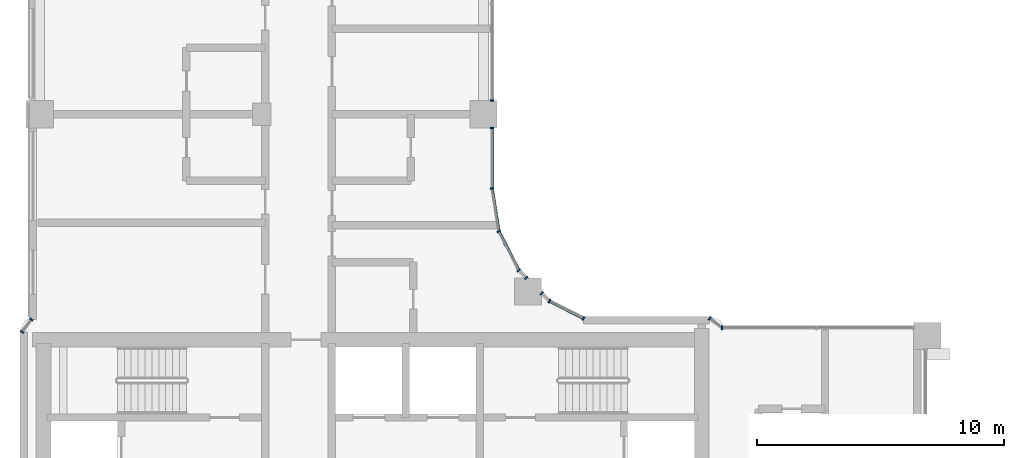
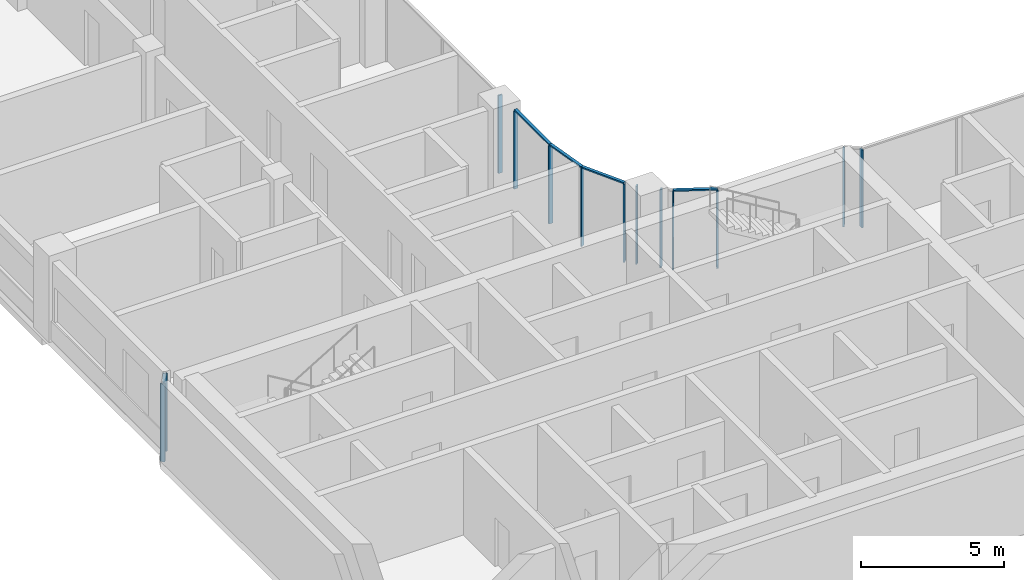
# One storey, part 2 of 21: 17 members, 7 elements without a shape of their own.
"""IFC4 building model written with IfcOpenShell, lengths in metres."""

from ifc_helpers import new_model, si_unit, direction, frame, origin, origin_2d, place, context, subcontext, project, spatial, rectangle, extrude, material, material_profile, profile_set, type_object, element, aggregate, save


model = new_model("IFC4")

# Units and contexts
model_context = context("Model", 3, precision=1e-05, world=origin(), true_north=direction((0.0, 1.0)))
body_context = subcontext(model_context, "Body", "Model", "MODEL_VIEW")
ifc_project = project(units=[si_unit("LENGTHUNIT", "METRE"), si_unit("AREAUNIT", "SQUARE_METRE"), si_unit("VOLUMEUNIT", "CUBIC_METRE"), si_unit("PLANEANGLEUNIT", "RADIAN"), si_unit("MASSUNIT", "GRAM", prefix="KILO")], contexts=[model_context])

# Site, building, storey
site_placement = place(None, origin())
site = spatial("IfcSite", under=ifc_project, at=site_placement, CompositionType="ELEMENT")
building_placement = place(site_placement, origin())
building = spatial("IfcBuilding", under=site, at=building_placement, Name="Ogive Portal Towers", CompositionType="ELEMENT")
storey_placement = place(building_placement, frame((0.0, 0.0, 157.0)))
storey = spatial("IfcBuildingStorey", under=building, at=storey_placement, Name="L38", CompositionType="ELEMENT", Elevation=157.0)

# Curtain wall, members
ifc_material_1 = material(Name="Glass, clear low-iron insulated glazing", Category="glass")
curtain_wall_type = type_object("IfcCurtainWallType", Name="CW FRONT RIBBON 4500", PredefinedType="NOTDEFINED", material=ifc_material_1)
curtain_wall_1_placement = place(storey_placement, origin())
curtain_wall_1 = element("IfcCurtainWall", 1, at=curtain_wall_1_placement, inside=storey, type_object=curtain_wall_type, Name="A:L38:f06:cw0~0", PredefinedType="NOTDEFINED")
ifc_material_2 = material(Name="Aluminium 6063 anodised", Category="aluminium")
ifc_material_profile_1 = material_profile(ifc_material_2, rectangle(XDim=0.159912109375, YDim=0.06005859375, at=origin_2d()), Name="AL 60x160")
ifc_profile_set_1 = profile_set([ifc_material_profile_1], Name="Aluminium 6063 anodised")
member_type_1 = type_object("IfcMemberType", Name="CW MULLION 60x160", PredefinedType="MULLION", material=ifc_profile_set_1)
member_1_placement = place(storey_placement, frame((49.844970703125, 45.49365234375, 0.0), z_axis=(0.0, 0.0, 1.0), x_axis=(-1.0, 0.0, 0.0)))
member_1 = element("IfcMember", 2, at=member_1_placement, type_object=member_type_1, Name="mullion", PredefinedType="MULLION", context=body_context, shape_type="SweptSolid", body=[
    extrude(rectangle(XDim=0.159912109375, YDim=0.06005859375, at=origin_2d()), origin(), (0.0, 0.0, 1.0), 3.340087890625),
])
member_2_placement = place(storey_placement, frame((49.844970703125, 47.949951171875, 0.0), z_axis=(0.0, 0.0, 1.0), x_axis=(-1.0, 0.0, 0.0)))
member_2 = element("IfcMember", 3, at=member_2_placement, type_object=member_type_1, Name="mullion", PredefinedType="MULLION", context=body_context, shape_type="SweptSolid", body=[
    extrude(rectangle(XDim=0.159912109375, YDim=0.06005859375, at=origin_2d()), origin(), (0.0, 0.0, 1.0), 3.340087890625),
])

# Curtain wall, member
curtain_wall_2_placement = place(storey_placement, origin())
curtain_wall_2 = element("IfcCurtainWall", 4, at=curtain_wall_2_placement, inside=storey, type_object=curtain_wall_type, Name="A:L38:f06:cw0~1", PredefinedType="NOTDEFINED")
member_3_placement = place(storey_placement, frame((49.844970703125, 49.050048828125, 0.0), z_axis=(0.0, 0.0, 1.0), x_axis=(-1.0, 0.0, 0.0)))
member_3 = element("IfcMember", 5, at=member_3_placement, type_object=member_type_1, Name="mullion", PredefinedType="MULLION", context=body_context, shape_type="SweptSolid", body=[
    extrude(rectangle(XDim=0.159912109375, YDim=0.06005859375, at=origin_2d()), origin(), (0.0, 0.0, 1.0), 3.340087890625),
])
aggregate(curtain_wall_2, [member_3])

curtain_wall_3_placement = place(storey_placement, origin())
curtain_wall_3 = element("IfcCurtainWall", 6, at=curtain_wall_3_placement, inside=storey, type_object=curtain_wall_type, Name="A:L38:f23:cw0", PredefinedType="NOTDEFINED")
member_4_placement = place(storey_placement, frame((59.180419921875, 39.844970703125, 0.0), z_axis=(0.0, 0.0, 1.0), x_axis=(0.0, -1.0, 0.0)))
member_4 = element("IfcMember", 7, at=member_4_placement, type_object=member_type_1, Name="mullion", PredefinedType="MULLION", context=body_context, shape_type="SweptSolid", body=[
    extrude(rectangle(XDim=0.159912109375, YDim=0.06005859375, at=origin_2d()), origin(), (0.0, 0.0, 1.0), 3.340087890625),
])
aggregate(curtain_wall_3, [member_4])

curtain_wall_4_placement = place(storey_placement, origin())
curtain_wall_4 = element("IfcCurtainWall", 8, at=curtain_wall_4_placement, inside=storey, type_object=curtain_wall_type, Name="A:L38:f00:cwa", PredefinedType="NOTDEFINED")
member_5_placement = place(storey_placement, frame((58.673583984375, 40.219970703125, 0.0), z_axis=(0.0, 0.0, 1.0), x_axis=(-0.594808729844, -0.803867261991, 0.0)))
member_5 = element("IfcMember", 9, at=member_5_placement, type_object=member_type_1, Name="mullion", PredefinedType="MULLION", context=body_context, shape_type="SweptSolid", body=[
    extrude(rectangle(XDim=0.159912109375, YDim=0.06005859375, at=origin_2d()), origin(), (0.0, 0.0, 1.0), 3.340087890625),
])
aggregate(curtain_wall_4, [member_5])

# Curtain wall, members
curtain_wall_5_placement = place(storey_placement, origin())
curtain_wall_5 = element("IfcCurtainWall", 10, at=curtain_wall_5_placement, inside=storey, type_object=curtain_wall_type, Name="A:L38:f02:cwa~0", PredefinedType="NOTDEFINED")
member_6_placement = place(storey_placement, frame((53.5576171875, 40.219970703125, 0.0), z_axis=(0.0, 0.0, 1.0), x_axis=(-0.45399049974, -0.891006524188, 0.0)))
member_6 = element("IfcMember", 11, at=member_6_placement, type_object=member_type_1, Name="mullion", PredefinedType="MULLION", context=body_context, shape_type="SweptSolid", body=[
    extrude(rectangle(XDim=0.159912109375, YDim=0.06005859375, at=origin_2d()), origin(), (0.0, 0.0, 1.0), 3.340087890625),
])
member_7_placement = place(storey_placement, frame((52.175537109375, 40.92431640625, 0.0), z_axis=(0.0, 0.0, 1.0), x_axis=(-0.45399049974, -0.891006524188, 0.0)))
member_7 = element("IfcMember", 12, at=member_7_placement, type_object=member_type_1, Name="mullion", PredefinedType="MULLION", context=body_context, shape_type="SweptSolid", body=[
    extrude(rectangle(XDim=0.159912109375, YDim=0.06005859375, at=origin_2d()), origin(), (0.0, 0.0, 1.0), 3.340087890625),
])
member_8_placement = place(storey_placement, frame((51.860107421875, 41.23974609375, 0.0), z_axis=(0.0, 0.0, 1.0), x_axis=(-0.707106781187, -0.707106781187, 0.0)))
member_8 = element("IfcMember", 13, at=member_8_placement, type_object=member_type_1, Name="mullion", PredefinedType="MULLION", context=body_context, shape_type="SweptSolid", body=[
    extrude(rectangle(XDim=0.159912109375, YDim=0.06005859375, at=origin_2d()), origin(), (0.0, 0.0, 1.0), 3.340087890625),
])

curtain_wall_6_placement = place(storey_placement, origin())
curtain_wall_6 = element("IfcCurtainWall", 14, at=curtain_wall_6_placement, inside=storey, type_object=curtain_wall_type, Name="A:L38:f02:cwa~1", PredefinedType="NOTDEFINED")
member_9_placement = place(storey_placement, frame((51.23974609375, 41.860107421875, 0.0), z_axis=(0.0, 0.0, 1.0), x_axis=(-0.707106781187, -0.707106781187, 0.0)))
member_9 = element("IfcMember", 15, at=member_9_placement, type_object=member_type_1, Name="mullion", PredefinedType="MULLION", context=body_context, shape_type="SweptSolid", body=[
    extrude(rectangle(XDim=0.159912109375, YDim=0.06005859375, at=origin_2d()), origin(), (0.0, 0.0, 1.0), 3.340087890625),
])
member_10_placement = place(storey_placement, frame((50.92431640625, 42.175537109375, 0.0), z_axis=(0.0, 0.0, 1.0), x_axis=(-0.707106781187, -0.707106781187, 0.0)))
member_10 = element("IfcMember", 16, at=member_10_placement, type_object=member_type_1, Name="mullion", PredefinedType="MULLION", context=body_context, shape_type="SweptSolid", body=[
    extrude(rectangle(XDim=0.159912109375, YDim=0.06005859375, at=origin_2d()), origin(), (0.0, 0.0, 1.0), 3.340087890625),
])
member_11_placement = place(storey_placement, frame((50.120849609375, 43.752197265625, 0.0), z_axis=(0.0, 0.0, 1.0), x_axis=(-0.891006524188, -0.45399049974, 0.0)))
member_11 = element("IfcMember", 17, at=member_11_placement, type_object=member_type_1, Name="mullion", PredefinedType="MULLION", context=body_context, shape_type="SweptSolid", body=[
    extrude(rectangle(XDim=0.159912109375, YDim=0.06005859375, at=origin_2d()), origin(), (0.0, 0.0, 1.0), 3.340087890625),
])

curtain_wall_7_placement = place(storey_placement, origin())
curtain_wall_7 = element("IfcCurtainWall", 18, at=curtain_wall_7_placement, inside=storey, type_object=curtain_wall_type, Name="A:L38:f14:cwa", PredefinedType="NOTDEFINED")
member_12_placement = place(storey_placement, frame((31.155029296875, 40.180419921875, 0.0), z_axis=(0.0, 0.0, 1.0), x_axis=(0.803867261991, -0.594808729844, 0.0)))
member_12 = element("IfcMember", 19, at=member_12_placement, type_object=member_type_1, Name="mullion", PredefinedType="MULLION", context=body_context, shape_type="SweptSolid", body=[
    extrude(rectangle(XDim=0.159912109375, YDim=0.06005859375, at=origin_2d()), origin(), (0.0, 0.0, 1.0), 3.340087890625),
])
member_13_placement = place(storey_placement, frame((30.780029296875, 39.673583984375, 0.0), z_axis=(0.0, 0.0, 1.0), x_axis=(0.803867261991, -0.594808729844, 0.0)))
member_13 = element("IfcMember", 20, at=member_13_placement, type_object=member_type_1, Name="mullion", PredefinedType="MULLION", context=body_context, shape_type="SweptSolid", body=[
    extrude(rectangle(XDim=0.159912109375, YDim=0.06005859375, at=origin_2d()), origin(), (0.0, 0.0, 1.0), 3.340087890625),
])
aggregate(curtain_wall_7, [member_12, member_13])

# Member
ifc_material_profile_2 = material_profile(ifc_material_2, rectangle(XDim=0.1201171875, YDim=0.06005859375, at=origin_2d()), Name="AL 120x60")
ifc_profile_set_2 = profile_set([ifc_material_profile_2], Name="Aluminium 6063 anodised")
member_type_2 = type_object("IfcMemberType", Name="CW TRANSOM 60x120", PredefinedType="USERDEFINED", material=ifc_profile_set_2)
member_14_placement = place(storey_placement, frame((49.844970703125, 45.49365234375, 3.3701171875), z_axis=(0.0, 1.0, 0.0), x_axis=(-1.0, 0.0, 0.0)))
member_14 = element("IfcMember", 21, at=member_14_placement, type_object=member_type_2, Name="transom", ObjectType="TRANSOM", PredefinedType="USERDEFINED", context=body_context, shape_type="SweptSolid", body=[
    extrude(rectangle(XDim=0.1201171875, YDim=0.06005859375, at=origin_2d()), origin(), (0.0, 0.0, 1.0), 2.456298828125),
])

aggregate(curtain_wall_1, [member_14, member_1, member_2])

member_15_placement = place(storey_placement, frame((53.5576171875, 40.219970703125, 3.3701171875), z_axis=(-0.89096982311, 0.454062522465, 0.0), x_axis=(-0.454062522465, -0.89096982311, 0.0)))
member_15 = element("IfcMember", 22, at=member_15_placement, type_object=member_type_2, Name="transom", ObjectType="TRANSOM", PredefinedType="USERDEFINED", context=body_context, shape_type="SweptSolid", body=[
    extrude(rectangle(XDim=0.1201171875, YDim=0.06005859375, at=origin_2d()), origin(), (0.0, 0.0, 1.0), 1.55126953125),
])

aggregate(curtain_wall_5, [member_15, member_6, member_7, member_8])

member_16_placement = place(storey_placement, frame((50.92431640625, 42.175537109375, 3.3701171875), z_axis=(-0.454043582135, 0.890979475365, 0.0), x_axis=(-0.890979475365, -0.454043582135, 0.0)))
member_16 = element("IfcMember", 23, at=member_16_placement, type_object=member_type_2, Name="transom", ObjectType="TRANSOM", PredefinedType="USERDEFINED", context=body_context, shape_type="SweptSolid", body=[
    extrude(rectangle(XDim=0.1201171875, YDim=0.06005859375, at=origin_2d()), origin(), (0.0, 0.0, 1.0), 1.76953125),
])

member_17_placement = place(storey_placement, frame((50.120849609375, 43.752197265625, 3.3701171875), z_axis=(-0.156467395285, 0.987683124394, 0.0), x_axis=(-0.987683124394, -0.156467395285, 0.0)))
member_17 = element("IfcMember", 24, at=member_17_placement, type_object=member_type_2, Name="transom", ObjectType="TRANSOM", PredefinedType="USERDEFINED", context=body_context, shape_type="SweptSolid", body=[
    extrude(rectangle(XDim=0.1201171875, YDim=0.06005859375, at=origin_2d()), origin(), (0.0, 0.0, 1.0), 1.76318359375),
])

aggregate(curtain_wall_6, [member_16, member_17, member_9, member_10, member_11])

save(model, "model.ifc")
